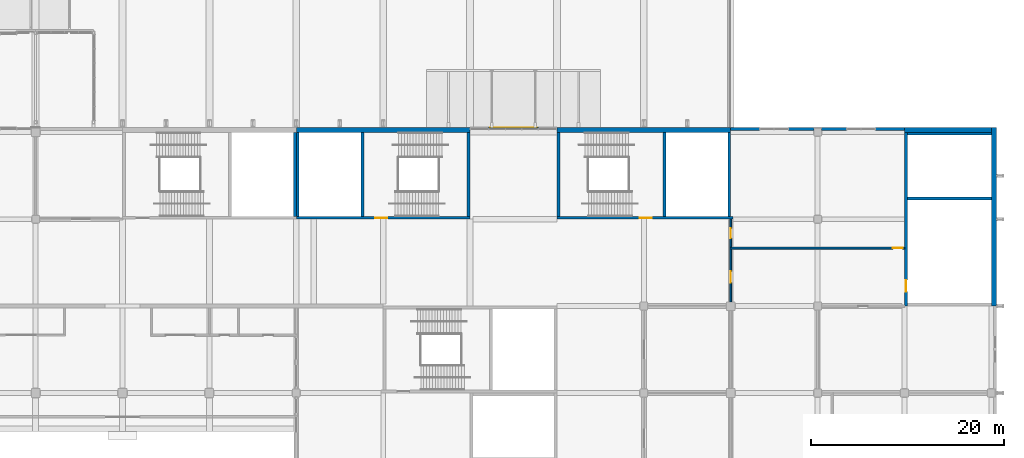
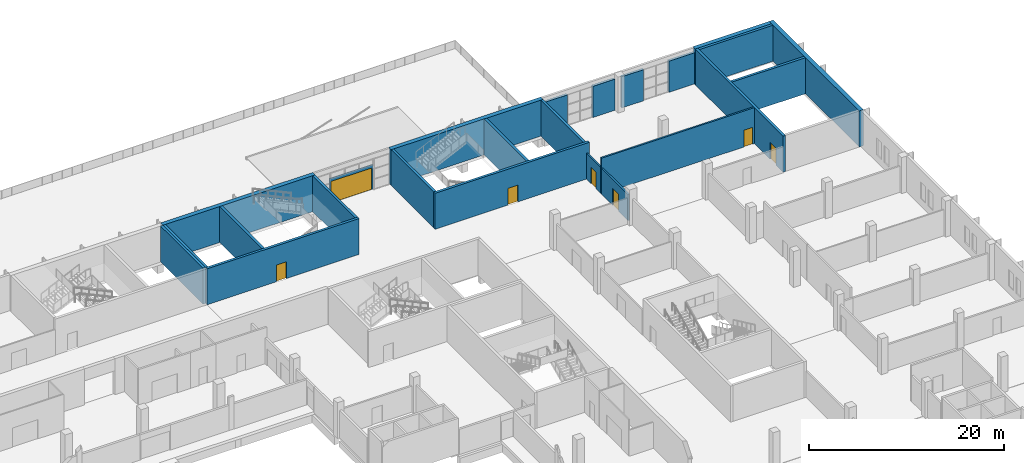
# One storey, part 108 of 168: 24 walls, 7 doors, 7 openings.
"""IFC4 building model written with IfcOpenShell, lengths in metres."""

from ifc_helpers import new_model, si_unit, direction, frame, frame_2d, origin, place, context, subcontext, project, spatial, rectangle, extrude, material, layer, layer_set, type_object, element, fill, save


model = new_model("IFC4")

# Units and contexts
model_context = context("Model", 3, precision=1e-05, world=origin(), true_north=direction((0.0, 1.0)))
body_context = subcontext(model_context, "Body", "Model", "MODEL_VIEW")
ifc_project = project(units=[si_unit("LENGTHUNIT", "METRE"), si_unit("AREAUNIT", "SQUARE_METRE"), si_unit("VOLUMEUNIT", "CUBIC_METRE"), si_unit("PLANEANGLEUNIT", "RADIAN"), si_unit("MASSUNIT", "GRAM", prefix="KILO")], contexts=[model_context])

# Site, building, storey
site_placement = place(None, origin())
site = spatial("IfcSite", under=ifc_project, at=site_placement, CompositionType="ELEMENT")
building_placement = place(site_placement, origin())
building = spatial("IfcBuilding", under=site, at=building_placement, Name="Silverbay Arena", CompositionType="ELEMENT")
storey_placement = place(building_placement, frame((0.0, 0.0, 7.0)))
storey = spatial("IfcBuildingStorey", under=building, at=storey_placement, Name="L01", CompositionType="ELEMENT", Elevation=7.0)

# Walls
ifc_material_1 = material(Name="Concrete Grade C45 precast, board-marked finish", Category="concrete")
ifc_layer_1 = layer(ifc_material_1, 0.300048828125)
ifc_layer_set_1 = layer_set([ifc_layer_1], Name="Concrete Grade C45 precast, board-marked finish")
wall_type_1 = type_object("IfcWallType", Name="Board-marked precast wall 300", PredefinedType="SOLIDWALL", material=ifc_layer_set_1)
wall_1_placement = place(storey_placement, frame((210.0, 144.35009765625, 0.0), z_axis=(0.0, 0.0, 1.0), x_axis=(-1.0, 0.0, 0.0)))
element("IfcWall", 1, at=wall_1_placement, inside=storey, type_object=wall_type_1, Name="North external wall L01 bay 21 pier", PredefinedType="SOLIDWALL", context=body_context, shape_type="SweptSolid", body=[
    extrude(rectangle(XDim=3.0, YDim=0.300048828125, at=frame_2d((1.5, 0.0))), origin(), (0.0, 0.0, 1.0), 3.89990234375),
])
for number, where, z_axis, x_axis, name in (
    (2, (215.60009765625, 144.35009765625, 0.0), (0.0, 0.0, 1.0), (-1.0, 0.0, 0.0), "North external wall L01 bay 21 pier"),
    (3, (219.0, 144.35009765625, 0.0), (0.0, 0.0, 1.0), (-1.0, 0.0, 0.0), "North external wall L01 bay 22 pier"),
):
    element("IfcWall", number, at=place(storey_placement, frame(where, z_axis=z_axis, x_axis=x_axis)), inside=storey, type_object=wall_type_1, Name=name, PredefinedType="SOLIDWALL", context=body_context, shape_type="SweptSolid", body=[
        extrude(rectangle(XDim=2.60009765625, YDim=0.300048828125, at=frame_2d((1.300048828125, 0.0))), origin(), (0.0, 0.0, 1.0), 3.89990234375),
    ])
wall_2_placement = place(storey_placement, frame((225.0, 144.35009765625, 0.0), z_axis=(0.0, 0.0, 1.0), x_axis=(-1.0, 0.0, 0.0)))
element("IfcWall", 4, at=wall_2_placement, inside=storey, type_object=wall_type_1, Name="North external wall L01 bay 22 pier", PredefinedType="SOLIDWALL", context=body_context, shape_type="SweptSolid", body=[
    extrude(rectangle(XDim=3.0, YDim=0.300048828125, at=frame_2d((1.5, 0.0))), origin(), (0.0, 0.0, 1.0), 3.89990234375),
])
ifc_material_2 = material(Name="Concrete Grade C45", Category="concrete")
ifc_layer_2 = layer(ifc_material_2, 0.300048828125)
ifc_layer_set_2 = layer_set([ifc_layer_2], Name="Concrete Grade C45")
wall_type_2 = type_object("IfcWallType", Name="Core wall RC 300 EI 120", PredefinedType="SHEAR", material=ifc_layer_set_2)
wall_3_placement = place(storey_placement, frame((161.85009765625, 135.300048828125, 0.0), z_axis=(0.0, 0.0, 1.0), x_axis=(0.0, 1.0, 0.0)))
element("IfcWall", 5, at=wall_3_placement, inside=storey, type_object=wall_type_2, Name="Core wall ST-N3 L01 end 2", PredefinedType="SHEAR", context=body_context, shape_type="SweptSolid", body=[
    extrude(rectangle(XDim=8.699951171875, YDim=0.300048828125, at=frame_2d((4.35009765625, 0.0))), origin(), (0.0, 0.0, 1.0), 4.5),
])

# Wall, opening, door
wall_4_placement = place(storey_placement, frame((180.0, 135.14990234375, 0.0), z_axis=(0.0, 0.0, 1.0), x_axis=(-1.0, 0.0, 0.0)))
wall_4 = element("IfcWall", 6, at=wall_4_placement, inside=storey, type_object=wall_type_2, Name="Core wall ST-N4 L01 door side", PredefinedType="SHEAR", context=body_context, shape_type="SweptSolid", body=[
    extrude(rectangle(XDim=18.0, YDim=0.300048828125, at=frame_2d((9.0, 0.0))), origin(), (0.0, 0.0, 1.0), 4.5),
])
opening_1_placement = place(wall_4_placement, frame((8.60009765625, 0.0, 0.0)))
opening_1 = element("IfcOpeningElement", 7, at=opening_1_placement, cuts=wall_4, Name="Opening L01-108", PredefinedType="OPENING", context=body_context, shape_type="SweptSolid", body=[
    extrude(rectangle(XDim=1.199951171875, YDim=2.10009765625, at=frame_2d((0.60009765625, 1.050048828125))), frame((0.0, 0.16015625, 0.0), z_axis=(0.0, -1.0, 0.0), x_axis=(1.0, 0.0, 0.0)), (0.0, 0.0, 1.0), 0.320068359375),
])
ifc_material_3 = material(Name="Steel fire door", Category="steel")
door_type_1 = type_object("IfcDoorType", Name="Stair door 1200 x 2100 fire door", OperationType="SINGLE_SWING_LEFT", PredefinedType="DOOR", material=ifc_material_3)
door_1_placement = place(opening_1_placement, frame((1.199951171875, 0.0, 0.0), z_axis=(0.0, 0.0, 1.0), x_axis=(-1.0, 0.0, 0.0)))
door_1 = element("IfcDoor", 8, at=door_1_placement, inside=storey, type_object=door_type_1, Name="Stair door ST-N4 L01", OperationType="SINGLE_SWING_LEFT", OverallHeight=2.10009765625, OverallWidth=1.199951171875, PredefinedType="DOOR", context=body_context, shape_type="SweptSolid", body=[
    extrude(rectangle(XDim=1.199951171875, YDim=2.10009765625, at=frame_2d((0.60009765625, 1.050048828125))), frame((0.0, 0.02490234375, 0.0), z_axis=(0.0, -1.0, 0.0), x_axis=(1.0, 0.0, 0.0)), (0.0, 0.0, 1.0), 0.050048828125),
])
fill(opening_1, door_1)

# Walls
for number, where, z_axis, x_axis, name in (
    (9, (179.85009765625, 135.300048828125, 0.0), (0.0, 0.0, 1.0), (0.0, 1.0, 0.0), "Core wall ST-N4 L01 end 1"),
    (10, (162.14990234375, 135.300048828125, 0.0), (0.0, 0.0, 1.0), (0.0, 1.0, 0.0), "Core wall ST-N4 L01 end 2"),
    (11, (168.85009765625, 135.300048828125, 0.0), (0.0, 0.0, 1.0), (0.0, 1.0, 0.0), "Core wall ST-N4 L01 stair enclosure"),
):
    element("IfcWall", number, at=place(storey_placement, frame(where, z_axis=z_axis, x_axis=x_axis)), inside=storey, type_object=wall_type_2, Name=name, PredefinedType="SHEAR", context=body_context, shape_type="SweptSolid", body=[
        extrude(rectangle(XDim=8.699951171875, YDim=0.300048828125, at=frame_2d((4.35009765625, 0.0))), origin(), (0.0, 0.0, 1.0), 4.5),
    ])

# Wall, opening, door
wall_5_placement = place(storey_placement, frame((189.0, 135.14990234375, 0.0), z_axis=(0.0, 0.0, 1.0), x_axis=(1.0, 0.0, 0.0)))
wall_5 = element("IfcWall", 12, at=wall_5_placement, inside=storey, type_object=wall_type_2, Name="Core wall ST-N6 L01 door side", PredefinedType="SHEAR", context=body_context, shape_type="SweptSolid", body=[
    extrude(rectangle(XDim=18.25, YDim=0.300048828125, at=frame_2d((9.125, 0.0))), origin(), (0.0, 0.0, 1.0), 4.5),
])
opening_2_placement = place(wall_5_placement, frame((8.60009765625, 0.0, 0.0)))
opening_2 = element("IfcOpeningElement", 13, at=opening_2_placement, cuts=wall_5, Name="Opening L01-112", PredefinedType="OPENING", context=body_context, shape_type="SweptSolid", body=[
    extrude(rectangle(XDim=1.199951171875, YDim=2.10009765625, at=frame_2d((0.60009765625, 1.050048828125))), frame((0.0, 0.16015625, 0.0), z_axis=(0.0, -1.0, 0.0), x_axis=(1.0, 0.0, 0.0)), (0.0, 0.0, 1.0), 0.320068359375),
])
door_2_placement = place(opening_2_placement, origin())
door_2 = element("IfcDoor", 14, at=door_2_placement, inside=storey, type_object=door_type_1, Name="Stair door ST-N6 L01", OperationType="SINGLE_SWING_RIGHT", OverallHeight=2.10009765625, OverallWidth=1.199951171875, PredefinedType="DOOR", context=body_context, shape_type="SweptSolid", body=[
    extrude(rectangle(XDim=1.199951171875, YDim=2.10009765625, at=frame_2d((0.60009765625, 1.050048828125))), frame((0.0, 0.02490234375, 0.0), z_axis=(0.0, -1.0, 0.0), x_axis=(1.0, 0.0, 0.0)), (0.0, 0.0, 1.0), 0.050048828125),
])
fill(opening_2, door_2)

# Walls
for number, where, z_axis, x_axis, name in (
    (15, (189.14990234375, 135.300048828125, 0.0), (0.0, 0.0, 1.0), (0.0, 1.0, 0.0), "Core wall ST-N6 L01 end 1"),
    (16, (206.85009765625, 135.300048828125, 0.0), (0.0, 0.0, 1.0), (0.0, 1.0, 0.0), "Core wall ST-N6 L01 end 2"),
    (17, (200.14990234375, 135.300048828125, 0.0), (0.0, 0.0, 1.0), (0.0, 1.0, 0.0), "Core wall ST-N6 L01 stair enclosure"),
):
    element("IfcWall", number, at=place(storey_placement, frame(where, z_axis=z_axis, x_axis=x_axis)), inside=storey, type_object=wall_type_2, Name=name, PredefinedType="SHEAR", context=body_context, shape_type="SweptSolid", body=[
        extrude(rectangle(XDim=8.699951171875, YDim=0.300048828125, at=frame_2d((4.35009765625, 0.0))), origin(), (0.0, 0.0, 1.0), 4.5),
    ])

# Wall, opening, door
wall_6_placement = place(storey_placement, frame((225.14990234375, 126.0, 0.0), z_axis=(0.0, 0.0, 1.0), x_axis=(0.0, 1.0, 0.0)))
wall_6 = element("IfcWall", 18, at=wall_6_placement, inside=storey, type_object=wall_type_2, Name="Core wall ST-EG2 L01 door side", PredefinedType="SHEAR", context=body_context, shape_type="SweptSolid", body=[
    extrude(rectangle(XDim=18.0, YDim=0.300048828125, at=frame_2d((9.0, 0.0))), origin(), (0.0, 0.0, 1.0), 4.5),
])
opening_3_placement = place(wall_6_placement, frame((1.5, 0.0, 0.0)))
opening_3 = element("IfcOpeningElement", 19, at=opening_3_placement, cuts=wall_6, Name="Opening L01-128", PredefinedType="OPENING", context=body_context, shape_type="SweptSolid", body=[
    extrude(rectangle(XDim=1.199951171875, YDim=2.10009765625, at=frame_2d((0.60009765625, 1.050048828125))), frame((0.0, 0.16015625, 0.0), z_axis=(0.0, -1.0, 0.0), x_axis=(1.0, 0.0, 0.0)), (0.0, 0.0, 1.0), 0.320068359375),
])
door_3_placement = place(opening_3_placement, frame((1.199951171875, 0.0, 0.0), z_axis=(0.0, 0.0, 1.0), x_axis=(-1.0, 0.0, 0.0)))
door_3 = element("IfcDoor", 20, at=door_3_placement, inside=storey, type_object=door_type_1, Name="Stair door ST-EG2 L01", OperationType="SINGLE_SWING_RIGHT", OverallHeight=2.10009765625, OverallWidth=1.199951171875, PredefinedType="DOOR", context=body_context, shape_type="SweptSolid", body=[
    extrude(rectangle(XDim=1.199951171875, YDim=2.10009765625, at=frame_2d((0.60009765625, 1.050048828125))), frame((0.0, 0.02490234375, 0.0), z_axis=(0.0, -1.0, 0.0), x_axis=(1.0, 0.0, 0.0)), (0.0, 0.0, 1.0), 0.050048828125),
])
fill(opening_3, door_3)

# Walls
for number, where, z_axis, x_axis, name in (
    (21, (225.300048828125, 143.85009765625, 0.0), (0.0, 0.0, 1.0), (1.0, 0.0, 0.0), "Core wall ST-EG2 L01 end 2"),
    (22, (225.300048828125, 137.14990234375, 0.0), (0.0, 0.0, 1.0), (1.0, 0.0, 0.0), "Core wall ST-EG2 L01 stair enclosure"),
):
    element("IfcWall", number, at=place(storey_placement, frame(where, z_axis=z_axis, x_axis=x_axis)), inside=storey, type_object=wall_type_2, Name=name, PredefinedType="SHEAR", context=body_context, shape_type="SweptSolid", body=[
        extrude(rectangle(XDim=8.699951171875, YDim=0.300048828125, at=frame_2d((4.35009765625, 0.0))), origin(), (0.0, 0.0, 1.0), 4.5),
    ])
ifc_material_4 = material(Name="Concrete Grade C45", Category="concrete")
ifc_layer_3 = layer(ifc_material_4, 0.5)
ifc_layer_set_3 = layer_set([ifc_layer_3], Name="Concrete Grade C45")
wall_type_3 = type_object("IfcWallType", Name="Core wall RC 500 external EI 120", PredefinedType="SHEAR", material=ifc_layer_set_3)
for number, where, z_axis, x_axis, name in (
    (23, (180.0, 144.25, 0.0), (0.0, 0.0, 1.0), (-1.0, 0.0, 0.0), "Core wall ST-N4 L01 facade side"),
    (24, (189.0, 144.25, 0.0), (0.0, 0.0, 1.0), (1.0, 0.0, 0.0), "Core wall ST-N6 L01 facade side"),
):
    element("IfcWall", number, at=place(storey_placement, frame(where, z_axis=z_axis, x_axis=x_axis)), inside=storey, type_object=wall_type_3, Name=name, PredefinedType="SHEAR", context=body_context, shape_type="SweptSolid", body=[
        extrude(rectangle(XDim=18.0, YDim=0.5, at=frame_2d((9.0, 0.0))), origin(), (0.0, 0.0, 1.0), 4.5),
    ])
wall_7_placement = place(storey_placement, frame((234.25, 126.0, 0.0), z_axis=(0.0, 0.0, 1.0), x_axis=(0.0, 1.0, 0.0)))
element("IfcWall", 25, at=wall_7_placement, inside=storey, type_object=wall_type_3, Name="Core wall ST-EG2 L01 facade side", PredefinedType="SHEAR", context=body_context, shape_type="SweptSolid", body=[
    extrude(rectangle(XDim=18.5, YDim=0.5, at=frame_2d((9.25, 0.0))), origin(), (0.0, 0.0, 1.0), 4.5),
])

# Wall, opening, door
ifc_material_5 = material(Name="Aluminium and glass", Category="aluminium")
ifc_layer_4 = layer(ifc_material_5, 0.10009765625)
ifc_layer_set_4 = layer_set([ifc_layer_4], Name="Aluminium and glass")
wall_type_4 = type_object("IfcWallType", Name="Glazed entrance screen 100", PredefinedType="SOLIDWALL", material=ifc_layer_set_4)
wall_8_placement = place(storey_placement, frame((187.050048828125, 144.449951171875, 0.0), z_axis=(0.0, 0.0, 1.0), x_axis=(-1.0, 0.0, 0.0)))
wall_8 = element("IfcWall", 26, at=wall_8_placement, inside=storey, type_object=wall_type_4, Name="North entrance screen L01 bay 18", PredefinedType="SOLIDWALL", context=body_context, shape_type="SweptSolid", body=[
    extrude(rectangle(XDim=5.10009765625, YDim=0.10009765625, at=frame_2d((2.550048828125, 0.0))), origin(), (0.0, 0.0, 1.0), 3.10009765625),
])
opening_4_placement = place(wall_8_placement, frame((0.14990234375, 0.0, 0.0)))
opening_4 = element("IfcOpeningElement", 27, at=opening_4_placement, cuts=wall_8, Name="Opening L01-092", PredefinedType="OPENING", context=body_context, shape_type="SweptSolid", body=[
    extrude(rectangle(XDim=4.800048828125, YDim=2.699951171875, at=frame_2d((2.39990234375, 1.35009765625))), frame((0.0, 0.06005859375, 0.0), z_axis=(0.0, -1.0, 0.0), x_axis=(1.0, 0.0, 0.0)), (0.0, 0.0, 1.0), 0.1201171875),
])
ifc_material_6 = material(Name="Aluminium and glass", Category="aluminium")
door_type_2 = type_object("IfcDoorType", Name="Entrance door 4800 x 2700", OperationType="DOUBLE_DOOR_SINGLE_SWING", PredefinedType="DOOR", material=ifc_material_6)
door_4_placement = place(opening_4_placement, frame((4.800048828125, 0.0, 0.0), z_axis=(0.0, 0.0, 1.0), x_axis=(-1.0, 0.0, 0.0)))
door_4 = element("IfcDoor", 28, at=door_4_placement, inside=storey, type_object=door_type_2, Name="Main entrance E8", OperationType="DOUBLE_DOOR_SINGLE_SWING", OverallHeight=2.699951171875, OverallWidth=4.800048828125, PredefinedType="DOOR", context=body_context, shape_type="SweptSolid", body=[
    extrude(rectangle(XDim=4.800048828125, YDim=2.699951171875, at=frame_2d((2.39990234375, 1.35009765625))), frame((0.0, 0.02490234375, 0.0), z_axis=(0.0, -1.0, 0.0), x_axis=(1.0, 0.0, 0.0)), (0.0, 0.0, 1.0), 0.050048828125),
])
fill(opening_4, door_4)

ifc_material_7 = material(Name="Masonry blockwork partition", Category="masonry")
ifc_layer_5 = layer(ifc_material_7, 0.199951171875)
ifc_layer_set_5 = layer_set([ifc_layer_5], Name="Masonry blockwork partition")
wall_type_5 = type_object("IfcWallType", Name="Partition 200 EI 120", PredefinedType="PARTITIONING", material=ifc_layer_set_5)
wall_9_placement = place(storey_placement, frame((206.89990234375, 132.0, 0.0), z_axis=(0.0, 0.0, 1.0), x_axis=(1.0, 0.0, 0.0)))
wall_9 = element("IfcWall", 29, at=wall_9_placement, inside=storey, type_object=wall_type_5, Name="Partition wall", PredefinedType="PARTITIONING", context=body_context, shape_type="SweptSolid", body=[
    extrude(rectangle(XDim=18.10009765625, YDim=0.199951171875, at=frame_2d((9.050048828125, 0.0))), origin(), (0.0, 0.0, 1.0), 4.5),
])
opening_5_placement = place(wall_9_placement, frame((16.89990234375, 0.0, 0.0)))
opening_5 = element("IfcOpeningElement", 30, at=opening_5_placement, cuts=wall_9, Name="Opening L01-086", PredefinedType="OPENING", context=body_context, shape_type="SweptSolid", body=[
    extrude(rectangle(XDim=1.0, YDim=2.10009765625, at=frame_2d((0.5, 1.050048828125))), frame((0.0, 0.10986328125, 0.0), z_axis=(0.0, -1.0, 0.0), x_axis=(1.0, 0.0, 0.0)), (0.0, 0.0, 1.0), 0.219970703125),
])
ifc_material_8 = material(Name="Steel faced timber", Category="steel")
door_type_3 = type_object("IfcDoorType", Name="Single leaf door 1000 x 2100 FD120", OperationType="SINGLE_SWING_LEFT", PredefinedType="DOOR", material=ifc_material_8)
door_5_placement = place(opening_5_placement, origin())
door_5 = element("IfcDoor", 31, at=door_5_placement, inside=storey, type_object=door_type_3, Name="Door L01-086", OperationType="SINGLE_SWING_RIGHT", OverallHeight=2.10009765625, OverallWidth=1.0, PredefinedType="DOOR", context=body_context, shape_type="SweptSolid", body=[
    extrude(rectangle(XDim=1.0, YDim=2.10009765625, at=frame_2d((0.5, 1.050048828125))), frame((0.0, 0.02490234375, 0.0), z_axis=(0.0, -1.0, 0.0), x_axis=(1.0, 0.0, 0.0)), (0.0, 0.0, 1.0), 0.050048828125),
])
fill(opening_5, door_5)

wall_10_placement = place(storey_placement, frame((207.0, 126.449951171875, 0.0), z_axis=(0.0, 0.0, 1.0), x_axis=(0.0, 1.0, 0.0)))
wall_10 = element("IfcWall", 32, at=wall_10_placement, inside=storey, type_object=wall_type_5, Name="Partition wall", PredefinedType="PARTITIONING", context=body_context, shape_type="SweptSolid", body=[
    extrude(rectangle(XDim=5.449951171875, YDim=0.199951171875, at=frame_2d((2.72509765625, 0.0))), origin(), (0.0, 0.0, 1.0), 3.25),
])
opening_6_placement = place(wall_10_placement, frame((1.949951171875, 0.0, 0.0)))
opening_6 = element("IfcOpeningElement", 33, at=opening_6_placement, cuts=wall_10, Name="Opening L01-064", PredefinedType="OPENING", context=body_context, shape_type="SweptSolid", body=[
    extrude(rectangle(XDim=1.199951171875, YDim=2.10009765625, at=frame_2d((0.60009765625, 1.050048828125))), frame((0.0, 0.10986328125, 0.0), z_axis=(0.0, -1.0, 0.0), x_axis=(1.0, 0.0, 0.0)), (0.0, 0.0, 1.0), 0.219970703125),
])
ifc_material_9 = material(Name="Steel faced timber", Category="steel")
door_type_4 = type_object("IfcDoorType", Name="Single leaf door 1200 x 2100 FD120", OperationType="SINGLE_SWING_LEFT", PredefinedType="DOOR", material=ifc_material_9)
door_6_placement = place(opening_6_placement, origin())
door_6 = element("IfcDoor", 34, at=door_6_placement, inside=storey, type_object=door_type_4, Name="Door L01-064", OperationType="SINGLE_SWING_LEFT", OverallHeight=2.10009765625, OverallWidth=1.199951171875, PredefinedType="DOOR", context=body_context, shape_type="SweptSolid", body=[
    extrude(rectangle(XDim=1.199951171875, YDim=2.10009765625, at=frame_2d((0.60009765625, 1.050048828125))), frame((0.0, 0.02490234375, 0.0), z_axis=(0.0, -1.0, 0.0), x_axis=(1.0, 0.0, 0.0)), (0.0, 0.0, 1.0), 0.050048828125),
])
fill(opening_6, door_6)

wall_11_placement = place(storey_placement, frame((207.0, 132.10009765625, 0.0), z_axis=(0.0, 0.0, 1.0), x_axis=(0.0, 1.0, 0.0)))
wall_11 = element("IfcWall", 35, at=wall_11_placement, inside=storey, type_object=wall_type_5, Name="Partition wall", PredefinedType="PARTITIONING", context=body_context, shape_type="SweptSolid", body=[
    extrude(rectangle(XDim=2.89990234375, YDim=0.199951171875, at=frame_2d((1.449951171875, 0.0))), origin(), (0.0, 0.0, 1.0), 3.25),
])
opening_7_placement = place(wall_11_placement, frame((0.949951171875, 0.0, 0.0)))
opening_7 = element("IfcOpeningElement", 36, at=opening_7_placement, cuts=wall_11, Name="Opening L01-054", PredefinedType="OPENING", context=body_context, shape_type="SweptSolid", body=[
    extrude(rectangle(XDim=1.0, YDim=2.10009765625, at=frame_2d((0.5, 1.050048828125))), frame((0.0, 0.10986328125, 0.0), z_axis=(0.0, -1.0, 0.0), x_axis=(1.0, 0.0, 0.0)), (0.0, 0.0, 1.0), 0.219970703125),
])
door_7_placement = place(opening_7_placement, frame((1.0, 0.0, 0.0), z_axis=(0.0, 0.0, 1.0), x_axis=(-1.0, 0.0, 0.0)))
door_7 = element("IfcDoor", 37, at=door_7_placement, inside=storey, type_object=door_type_3, Name="Door L01-054", OperationType="SINGLE_SWING_LEFT", OverallHeight=2.10009765625, OverallWidth=1.0, PredefinedType="DOOR", context=body_context, shape_type="SweptSolid", body=[
    extrude(rectangle(XDim=1.0, YDim=2.10009765625, at=frame_2d((0.5, 1.050048828125))), frame((0.0, 0.02490234375, 0.0), z_axis=(0.0, -1.0, 0.0), x_axis=(1.0, 0.0, 0.0)), (0.0, 0.0, 1.0), 0.050048828125),
])
fill(opening_7, door_7)

# Wall
ifc_material_10 = material(Name="Concrete Grade C45", Category="concrete")
ifc_layer_6 = layer(ifc_material_10, 0.5)
ifc_layer_set_6 = layer_set([ifc_layer_6], Name="Concrete Grade C45")
wall_type_6 = type_object("IfcWallType", Name="Stair core facade wall 500", PredefinedType="SOLIDWALL", material=ifc_layer_set_6)
wall_12_placement = place(storey_placement, frame((234.0, 144.25, 0.0), z_axis=(0.0, 0.0, 1.0), x_axis=(-1.0, 0.0, 0.0)))
element("IfcWall", 38, at=wall_12_placement, inside=storey, type_object=wall_type_6, Name="North stair core facade wall L01 bay 23", PredefinedType="SOLIDWALL", context=body_context, shape_type="SweptSolid", body=[
    extrude(rectangle(XDim=9.0, YDim=0.5, at=frame_2d((4.5, 0.0))), origin(), (0.0, 0.0, 1.0), 4.5),
])

save(model, "model.ifc")
